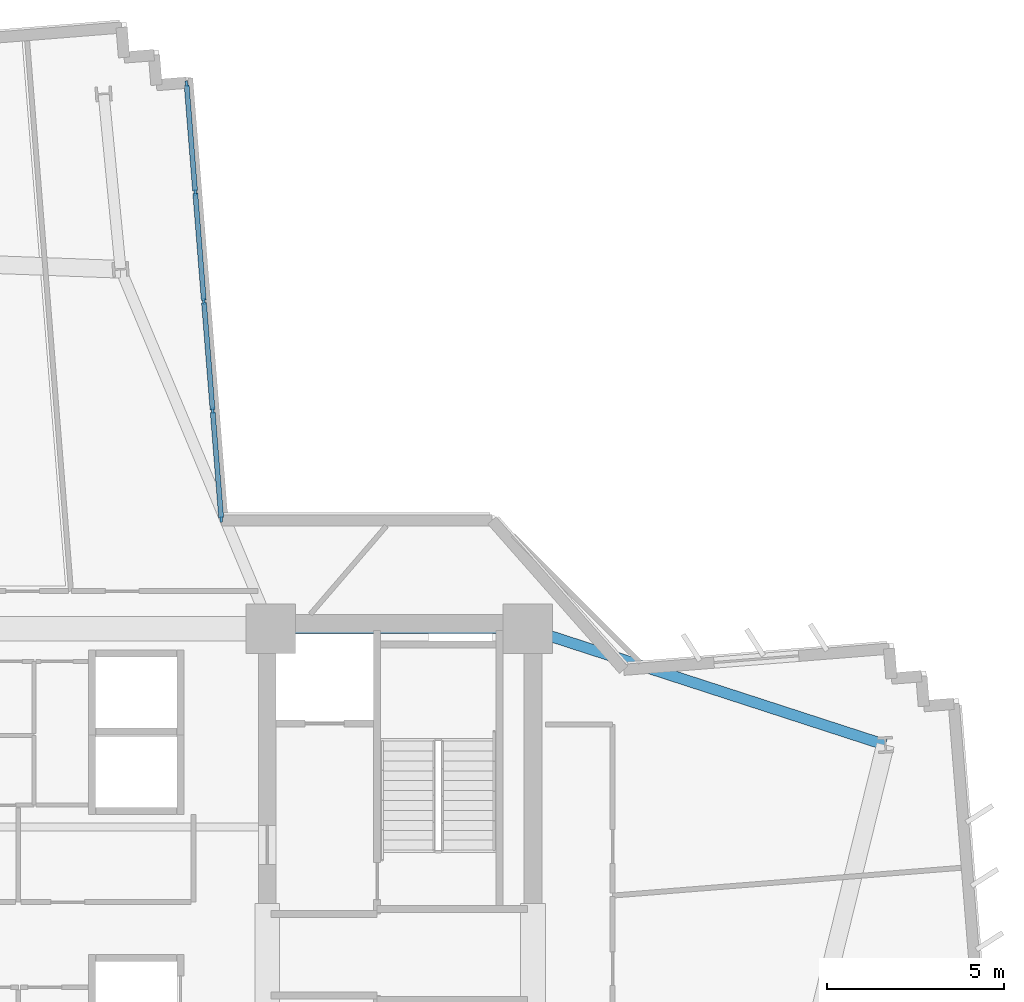
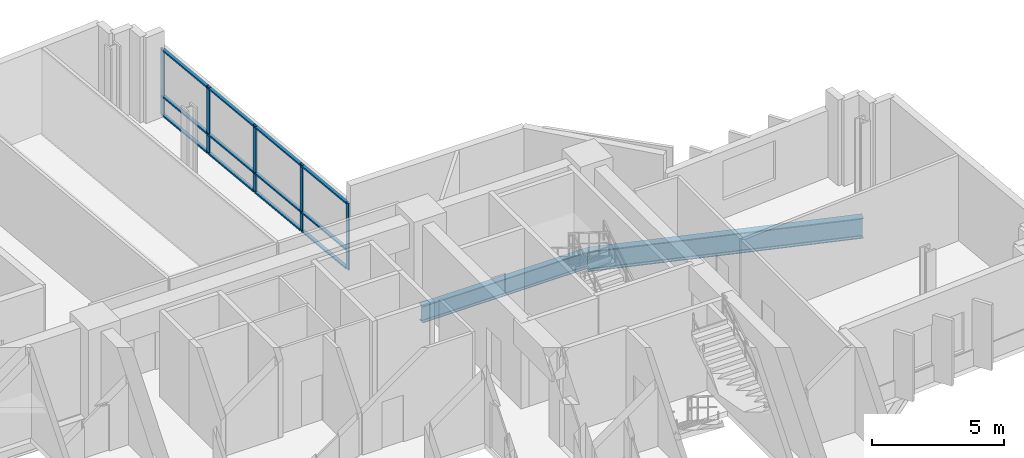
# One storey, part 4 of 15: 17 members, 2 beams, 1 element without a shape of its own.
"""IFC4 building model written with IfcOpenShell, lengths in metres."""

from ifc_helpers import new_model, si_unit, direction, frame, origin, origin_2d, place, context, subcontext, project, spatial, rectangle, i_section, extrude, source, transform, mapped, material, layer, layer_set, material_profile, profile_set, type_object, element, aggregate, save


model = new_model("IFC4")

# Units and contexts
model_context = context("Model", 3, precision=1e-05, world=origin(), true_north=direction((0.0, 1.0)))
body_context = subcontext(model_context, "Body", "Model", "MODEL_VIEW")
ifc_project = project(units=[si_unit("LENGTHUNIT", "METRE"), si_unit("AREAUNIT", "SQUARE_METRE"), si_unit("VOLUMEUNIT", "CUBIC_METRE"), si_unit("PLANEANGLEUNIT", "RADIAN"), si_unit("MASSUNIT", "GRAM", prefix="KILO")], contexts=[model_context])

# Site, building, storey
site_placement = place(None, origin())
site = spatial("IfcSite", under=ifc_project, at=site_placement, CompositionType="ELEMENT")
building_placement = place(site_placement, origin())
building = spatial("IfcBuilding", under=site, at=building_placement, Name="Zahravan Cultural Tower", CompositionType="ELEMENT")
storey_placement = place(building_placement, frame((0.0, 0.0, 87.89990234375)))
storey = spatial("IfcBuildingStorey", under=building, at=storey_placement, Name="L19", CompositionType="ELEMENT", Elevation=87.89990234375)

# Beams
ifc_material_1 = material(Name="Steel ASTM A992 Grade 50", Category="steel")
ifc_material_profile_1 = material_profile(ifc_material_1, i_section(OverallWidth=0.26611328125, OverallDepth=0.780029296875, WebThickness=0.0166015625, FlangeThickness=0.030029296875, FilletRadius=0.01904296875, at=origin_2d()), Name="W30X148")
ifc_profile_set_1 = profile_set([ifc_material_profile_1], Name="Steel ASTM A992 Grade 50")
beam_type_1 = type_object("IfcBeamType", Name="BM-G-W30X148", PredefinedType="BEAM", material=ifc_profile_set_1)
shared_shape_1 = source(origin(), body_context, "Body", "SweptSolid", [
    extrude(i_section(OverallWidth=0.26611328125, OverallDepth=0.780029296875, WebThickness=0.0166015625, FlangeThickness=0.030029296875, FilletRadius=0.01904296875, at=origin_2d()), origin(), (0.0, 0.0, 1.0), 7.25),
])
beam_1_placement = place(storey_placement, frame((43.10009765625, 36.199951171875, -0.639892578125), z_axis=(1.0, 0.0, 0.0), x_axis=(0.0, 1.0, 0.0)))
element("IfcBeam", 1, at=beam_1_placement, inside=storey, type_object=beam_type_1, Name="L19 Beam BG-L19-05", PredefinedType="BEAM", context=body_context, shape_type="MappedRepresentation", body=[
    mapped(shared_shape_1, transform((0.0, 0.0, 0.0), x_axis=(1.0, 0.0, 0.0), y_axis=(0.0, 1.0, 0.0), z_axis=(0.0, 0.0, 1.0), scale=1.0)),
])
ifc_material_profile_2 = material_profile(ifc_material_1, i_section(OverallWidth=0.30908203125, OverallDepth=0.931884765625, WebThickness=0.02099609375, FlangeThickness=0.034423828125, FilletRadius=0.02392578125, at=origin_2d()), Name="W36X210")
ifc_profile_set_2 = profile_set([ifc_material_profile_2], Name="Steel ASTM A992 Grade 50")
beam_type_2 = type_object("IfcBeamType", Name="BM-G-W36X210", PredefinedType="BEAM", material=ifc_profile_set_2)
shared_shape_2 = source(origin(), body_context, "Body", "SweptSolid", [
    extrude(i_section(OverallWidth=0.30908203125, OverallDepth=0.931884765625, WebThickness=0.02099609375, FlangeThickness=0.034423828125, FilletRadius=0.02392578125, at=origin_2d()), origin(), (0.0, 0.0, 1.0), 10.615966796875),
])
beam_2_placement = place(storey_placement, frame((50.35009765625, 36.199951171875, -0.7158203125), z_axis=(0.951063640083, -0.30899506875, 0.0), x_axis=(0.30899506875, 0.951063640083, 0.0)))
element("IfcBeam", 2, at=beam_2_placement, inside=storey, type_object=beam_type_2, Name="L19 Beam BG-L19-11", PredefinedType="BEAM", context=body_context, shape_type="MappedRepresentation", body=[
    mapped(shared_shape_2, transform((0.0, 0.0, 0.0), x_axis=(1.0, 0.0, 0.0), y_axis=(0.0, 1.0, 0.0), z_axis=(0.0, 0.0, 1.0), scale=1.0)),
])

# Curtain wall, members
ifc_material_2 = material(Name="Anodised bronze-aluminium mullion", Category="aluminium")
ifc_layer = layer(ifc_material_2, 0.179931640625)
ifc_layer_set = layer_set([ifc_layer], Name="Anodised bronze-aluminium mullion")
curtain_wall_type = type_object("IfcCurtainWallType", Name="CW-SYS-3", PredefinedType="USERDEFINED", material=ifc_layer_set)
curtain_wall_placement = place(storey_placement, origin())
curtain_wall = element("IfcCurtainWall", 3, at=curtain_wall_placement, inside=storey, type_object=curtain_wall_type, Name="L19 Recessed Curtain Wall CW-3.2", ObjectType="RECESSED GLAZING", PredefinedType="USERDEFINED")
ifc_material_profile_3 = material_profile(ifc_material_2, rectangle(XDim=0.070068359375, YDim=0.179931640625, at=origin_2d()), Name="AL-M70X180")
ifc_profile_set_3 = profile_set([ifc_material_profile_3], Name="Anodised bronze-aluminium mullion")
member_type_1 = type_object("IfcMemberType", Name="CWM-CW-3", PredefinedType="MULLION", material=ifc_profile_set_3)
shared_shape_3 = source(origin(), body_context, "Body", "SweptSolid", [
    extrude(rectangle(XDim=0.070068359375, YDim=0.179931640625, at=origin_2d()), origin(), (0.0, 0.0, 1.0), 3.070068359375),
])
member_1_placement = place(storey_placement, frame((40.720947265625, 51.578125, 0.0), z_axis=(0.0, 0.0, 1.0), x_axis=(0.996834749139, 0.079501464817, 0.0)))
member_1 = element("IfcMember", 4, at=member_1_placement, type_object=member_type_1, Name="CW-3 mullion 1", PredefinedType="MULLION", context=body_context, shape_type="MappedRepresentation", body=[
    mapped(shared_shape_3, transform((0.0, 0.0, 0.0), x_axis=(1.0, 0.0, 0.0), y_axis=(0.0, 1.0, 0.0), z_axis=(0.0, 0.0, 1.0), scale=1.0)),
])
member_2_placement = place(storey_placement, frame((40.964599609375, 48.524658203125, 0.0), z_axis=(0.0, 0.0, 1.0), x_axis=(0.996834749139, 0.079501464817, 0.0)))
member_2 = element("IfcMember", 5, at=member_2_placement, type_object=member_type_1, Name="CW-3 mullion 2", PredefinedType="MULLION", context=body_context, shape_type="MappedRepresentation", body=[
    mapped(shared_shape_3, transform((0.0, 0.0, 0.0), x_axis=(1.0, 0.0, 0.0), y_axis=(0.0, 1.0, 0.0), z_axis=(0.0, 0.0, 1.0), scale=1.0)),
])
member_3_placement = place(storey_placement, frame((41.210693359375, 45.4365234375, 0.0), z_axis=(0.0, 0.0, 1.0), x_axis=(0.996834749139, 0.079501464817, 0.0)))
member_3 = element("IfcMember", 6, at=member_3_placement, type_object=member_type_1, Name="CW-3 mullion 3", PredefinedType="MULLION", context=body_context, shape_type="MappedRepresentation", body=[
    mapped(shared_shape_3, transform((0.0, 0.0, 0.0), x_axis=(1.0, 0.0, 0.0), y_axis=(0.0, 1.0, 0.0), z_axis=(0.0, 0.0, 1.0), scale=1.0)),
])
member_4_placement = place(storey_placement, frame((41.45703125, 42.34814453125, 0.0), z_axis=(0.0, 0.0, 1.0), x_axis=(0.996834749139, 0.079501464817, 0.0)))
member_4 = element("IfcMember", 7, at=member_4_placement, type_object=member_type_1, Name="CW-3 mullion 4", PredefinedType="MULLION", context=body_context, shape_type="MappedRepresentation", body=[
    mapped(shared_shape_3, transform((0.0, 0.0, 0.0), x_axis=(1.0, 0.0, 0.0), y_axis=(0.0, 1.0, 0.0), z_axis=(0.0, 0.0, 1.0), scale=1.0)),
])
member_5_placement = place(storey_placement, frame((41.70068359375, 39.294921875, 0.0), z_axis=(0.0, 0.0, 1.0), x_axis=(0.996834749139, 0.079501464817, 0.0)))
member_5 = element("IfcMember", 8, at=member_5_placement, type_object=member_type_1, Name="CW-3 mullion 5", PredefinedType="MULLION", context=body_context, shape_type="MappedRepresentation", body=[
    mapped(shared_shape_3, transform((0.0, 0.0, 0.0), x_axis=(1.0, 0.0, 0.0), y_axis=(0.0, 1.0, 0.0), z_axis=(0.0, 0.0, 1.0), scale=1.0)),
])
ifc_material_profile_4 = material_profile(ifc_material_2, rectangle(XDim=0.139892578125, YDim=0.070068359375, at=origin_2d()), Name="AL-T70X140")
ifc_profile_set_4 = profile_set([ifc_material_profile_4], Name="Anodised bronze-aluminium mullion")
member_type_2 = type_object("IfcMemberType", Name="CWT-CW-3", PredefinedType="USERDEFINED", material=ifc_profile_set_4)
shared_shape_4 = source(origin(), body_context, "Body", "SweptSolid", [
    extrude(rectangle(XDim=0.139892578125, YDim=0.070068359375, at=origin_2d()), origin(), (0.0, 0.0, 1.0), 2.9931640625),
])
member_6_placement = place(storey_placement, frame((40.723876953125, 51.543212890625, 0.03515625), z_axis=(0.079446958373, -0.996839094742, 0.0), x_axis=(0.996839094742, 0.079446958373, 0.0)))
member_6 = element("IfcMember", 9, at=member_6_placement, type_object=member_type_2, Name="CW-3 transom 1.1", ObjectType="TRANSOM", PredefinedType="USERDEFINED", context=body_context, shape_type="MappedRepresentation", body=[
    mapped(shared_shape_4, transform((0.0, 0.0, 0.0), x_axis=(1.0, 0.0, 0.0), y_axis=(0.0, 1.0, 0.0), z_axis=(0.0, 0.0, 1.0), scale=1.0)),
])
member_7_placement = place(storey_placement, frame((40.723876953125, 51.543212890625, 0.900146484375), z_axis=(0.079446958373, -0.996839094742, 0.0), x_axis=(0.996839094742, 0.079446958373, 0.0)))
member_7 = element("IfcMember", 10, at=member_7_placement, type_object=member_type_2, Name="CW-3 transom 1.2", ObjectType="TRANSOM", PredefinedType="USERDEFINED", context=body_context, shape_type="MappedRepresentation", body=[
    mapped(shared_shape_4, transform((0.0, 0.0, 0.0), x_axis=(1.0, 0.0, 0.0), y_axis=(0.0, 1.0, 0.0), z_axis=(0.0, 0.0, 1.0), scale=1.0)),
])
member_8_placement = place(storey_placement, frame((40.723876953125, 51.543212890625, 3.03515625), z_axis=(0.079446958373, -0.996839094742, 0.0), x_axis=(0.996839094742, 0.079446958373, 0.0)))
member_8 = element("IfcMember", 11, at=member_8_placement, type_object=member_type_2, Name="CW-3 transom 1.3", ObjectType="TRANSOM", PredefinedType="USERDEFINED", context=body_context, shape_type="MappedRepresentation", body=[
    mapped(shared_shape_4, transform((0.0, 0.0, 0.0), x_axis=(1.0, 0.0, 0.0), y_axis=(0.0, 1.0, 0.0), z_axis=(0.0, 0.0, 1.0), scale=1.0)),
])
member_9_placement = place(storey_placement, frame((41.4599609375, 42.3134765625, 0.03515625), z_axis=(0.079446958373, -0.996839094742, 0.0), x_axis=(0.996839094742, 0.079446958373, 0.0)))
member_9 = element("IfcMember", 12, at=member_9_placement, type_object=member_type_2, Name="CW-3 transom 4.1", ObjectType="TRANSOM", PredefinedType="USERDEFINED", context=body_context, shape_type="MappedRepresentation", body=[
    mapped(shared_shape_4, transform((0.0, 0.0, 0.0), x_axis=(1.0, 0.0, 0.0), y_axis=(0.0, 1.0, 0.0), z_axis=(0.0, 0.0, 1.0), scale=1.0)),
])
member_10_placement = place(storey_placement, frame((41.4599609375, 42.3134765625, 0.900146484375), z_axis=(0.079446958373, -0.996839094742, 0.0), x_axis=(0.996839094742, 0.079446958373, 0.0)))
member_10 = element("IfcMember", 13, at=member_10_placement, type_object=member_type_2, Name="CW-3 transom 4.2", ObjectType="TRANSOM", PredefinedType="USERDEFINED", context=body_context, shape_type="MappedRepresentation", body=[
    mapped(shared_shape_4, transform((0.0, 0.0, 0.0), x_axis=(1.0, 0.0, 0.0), y_axis=(0.0, 1.0, 0.0), z_axis=(0.0, 0.0, 1.0), scale=1.0)),
])
member_11_placement = place(storey_placement, frame((41.4599609375, 42.3134765625, 3.03515625), z_axis=(0.079446958373, -0.996839094742, 0.0), x_axis=(0.996839094742, 0.079446958373, 0.0)))
member_11 = element("IfcMember", 14, at=member_11_placement, type_object=member_type_2, Name="CW-3 transom 4.3", ObjectType="TRANSOM", PredefinedType="USERDEFINED", context=body_context, shape_type="MappedRepresentation", body=[
    mapped(shared_shape_4, transform((0.0, 0.0, 0.0), x_axis=(1.0, 0.0, 0.0), y_axis=(0.0, 1.0, 0.0), z_axis=(0.0, 0.0, 1.0), scale=1.0)),
])
shared_shape_5 = source(origin(), body_context, "Body", "SweptSolid", [
    extrude(rectangle(XDim=0.139892578125, YDim=0.070068359375, at=origin_2d()), origin(), (0.0, 0.0, 1.0), 3.02783203125),
])
member_12_placement = place(storey_placement, frame((40.96728515625, 48.48974609375, 0.03515625), z_axis=(0.079501661987, -0.996834733414, 0.0), x_axis=(0.996834733414, 0.079501661987, 0.0)))
member_12 = element("IfcMember", 15, at=member_12_placement, type_object=member_type_2, Name="CW-3 transom 2.1", ObjectType="TRANSOM", PredefinedType="USERDEFINED", context=body_context, shape_type="MappedRepresentation", body=[
    mapped(shared_shape_5, transform((0.0, 0.0, 0.0), x_axis=(1.0, 0.0, 0.0), y_axis=(0.0, 1.0, 0.0), z_axis=(0.0, 0.0, 1.0), scale=1.0)),
])
member_13_placement = place(storey_placement, frame((40.96728515625, 48.48974609375, 0.900146484375), z_axis=(0.079501661987, -0.996834733414, 0.0), x_axis=(0.996834733414, 0.079501661987, 0.0)))
member_13 = element("IfcMember", 16, at=member_13_placement, type_object=member_type_2, Name="CW-3 transom 2.2", ObjectType="TRANSOM", PredefinedType="USERDEFINED", context=body_context, shape_type="MappedRepresentation", body=[
    mapped(shared_shape_5, transform((0.0, 0.0, 0.0), x_axis=(1.0, 0.0, 0.0), y_axis=(0.0, 1.0, 0.0), z_axis=(0.0, 0.0, 1.0), scale=1.0)),
])
member_14_placement = place(storey_placement, frame((40.96728515625, 48.48974609375, 3.03515625), z_axis=(0.079501661987, -0.996834733414, 0.0), x_axis=(0.996834733414, 0.079501661987, 0.0)))
member_14 = element("IfcMember", 17, at=member_14_placement, type_object=member_type_2, Name="CW-3 transom 2.3", ObjectType="TRANSOM", PredefinedType="USERDEFINED", context=body_context, shape_type="MappedRepresentation", body=[
    mapped(shared_shape_5, transform((0.0, 0.0, 0.0), x_axis=(1.0, 0.0, 0.0), y_axis=(0.0, 1.0, 0.0), z_axis=(0.0, 0.0, 1.0), scale=1.0)),
])
shared_shape_6 = source(origin(), body_context, "Body", "SweptSolid", [
    extrude(rectangle(XDim=0.139892578125, YDim=0.070068359375, at=origin_2d()), origin(), (0.0, 0.0, 1.0), 3.028076171875),
])
member_15_placement = place(storey_placement, frame((41.213623046875, 45.401611328125, 0.03515625), z_axis=(0.079495272531, -0.996835242979, 0.0), x_axis=(0.996835242979, 0.079495272531, 0.0)))
member_15 = element("IfcMember", 18, at=member_15_placement, type_object=member_type_2, Name="CW-3 transom 3.1", ObjectType="TRANSOM", PredefinedType="USERDEFINED", context=body_context, shape_type="MappedRepresentation", body=[
    mapped(shared_shape_6, transform((0.0, 0.0, 0.0), x_axis=(1.0, 0.0, 0.0), y_axis=(0.0, 1.0, 0.0), z_axis=(0.0, 0.0, 1.0), scale=1.0)),
])
member_16_placement = place(storey_placement, frame((41.213623046875, 45.401611328125, 0.900146484375), z_axis=(0.079495272531, -0.996835242979, 0.0), x_axis=(0.996835242979, 0.079495272531, 0.0)))
member_16 = element("IfcMember", 19, at=member_16_placement, type_object=member_type_2, Name="CW-3 transom 3.2", ObjectType="TRANSOM", PredefinedType="USERDEFINED", context=body_context, shape_type="MappedRepresentation", body=[
    mapped(shared_shape_6, transform((0.0, 0.0, 0.0), x_axis=(1.0, 0.0, 0.0), y_axis=(0.0, 1.0, 0.0), z_axis=(0.0, 0.0, 1.0), scale=1.0)),
])
member_17_placement = place(storey_placement, frame((41.213623046875, 45.401611328125, 3.03515625), z_axis=(0.079495272531, -0.996835242979, 0.0), x_axis=(0.996835242979, 0.079495272531, 0.0)))
member_17 = element("IfcMember", 20, at=member_17_placement, type_object=member_type_2, Name="CW-3 transom 3.3", ObjectType="TRANSOM", PredefinedType="USERDEFINED", context=body_context, shape_type="MappedRepresentation", body=[
    mapped(shared_shape_6, transform((0.0, 0.0, 0.0), x_axis=(1.0, 0.0, 0.0), y_axis=(0.0, 1.0, 0.0), z_axis=(0.0, 0.0, 1.0), scale=1.0)),
])
aggregate(curtain_wall, [member_1, member_2, member_3, member_4, member_5, member_6, member_7, member_8, member_12, member_13, member_14, member_15, member_16, member_17, member_9, member_10, member_11])

save(model, "model.ifc")
